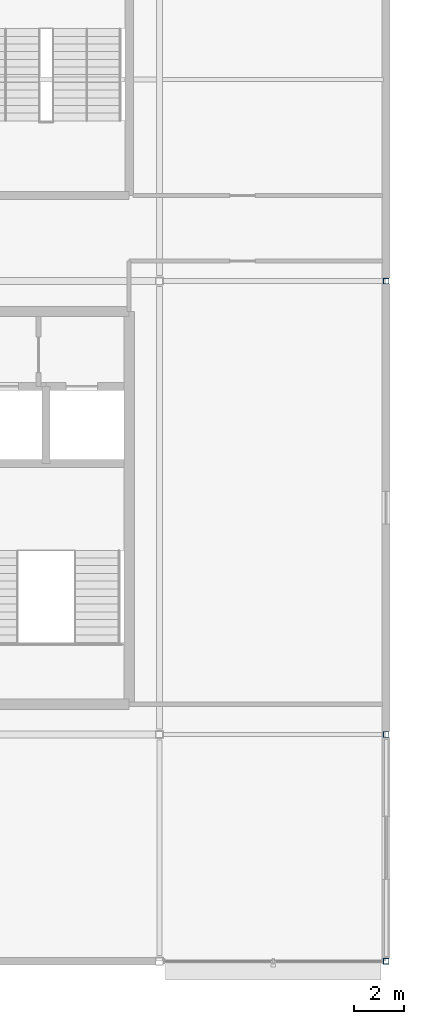
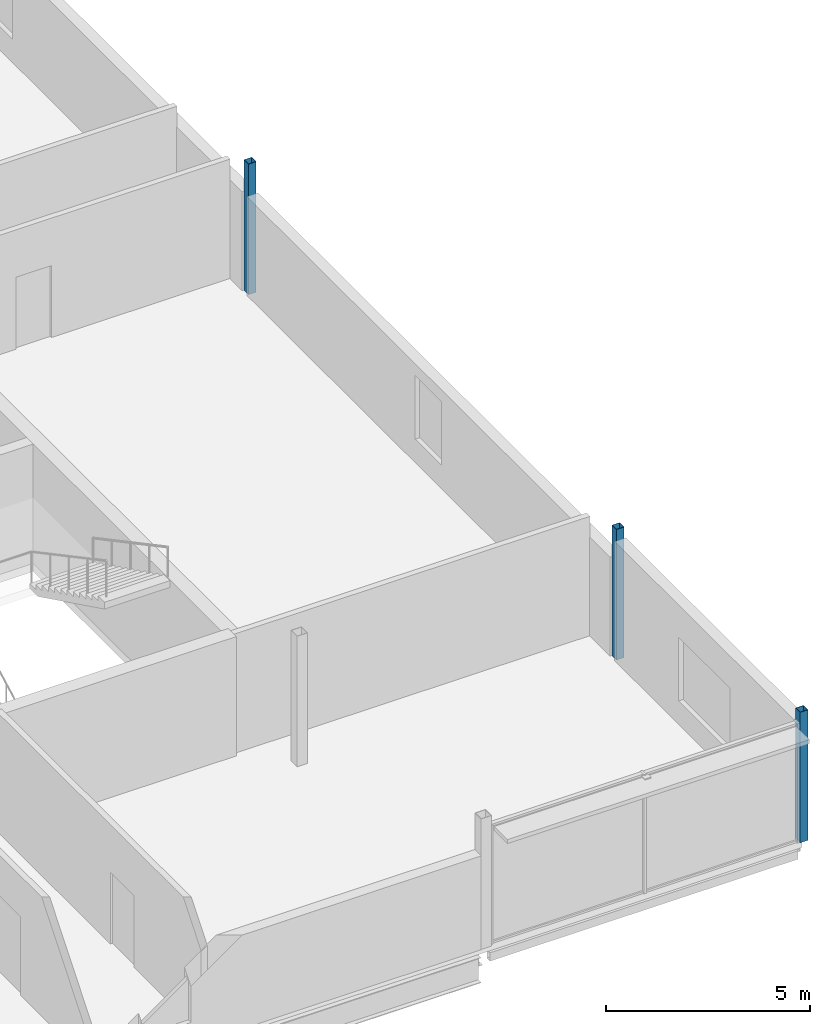
# One storey, part 14 of 55: 3 columns.
"""IFC4 building model written with IfcOpenShell, lengths in metres."""

from ifc_helpers import new_model, si_unit, direction, frame, origin, origin_2d, place, context, subcontext, project, spatial, hollow_rectangle, extrude, material, material_profile, profile_set, type_object, element, save


model = new_model("IFC4")

# Units and contexts
model_context = context("Model", 3, precision=1e-05, world=origin(), true_north=direction((0.0, 1.0)))
body_context = subcontext(model_context, "Body", "Model", "MODEL_VIEW")
ifc_project = project(units=[si_unit("LENGTHUNIT", "METRE"), si_unit("AREAUNIT", "SQUARE_METRE"), si_unit("VOLUMEUNIT", "CUBIC_METRE"), si_unit("PLANEANGLEUNIT", "RADIAN"), si_unit("MASSUNIT", "GRAM", prefix="KILO")], contexts=[model_context])

# Site, building, storey
site_placement = place(None, origin())
site = spatial("IfcSite", under=ifc_project, at=site_placement, CompositionType="ELEMENT")
building_placement = place(site_placement, origin())
building = spatial("IfcBuilding", under=site, at=building_placement, Name="Kisiwana Market Hall", CompositionType="ELEMENT")
storey_placement = place(building_placement, frame((0.0, 0.0, 37.800048828125)))
storey = spatial("IfcBuildingStorey", under=building, at=storey_placement, Name="L08", CompositionType="ELEMENT", Elevation=37.800048828125)

# Columns
ifc_material = material(Name="Steel S355", Category="steel")
ifc_material_profile = material_profile(ifc_material, hollow_rectangle(XDim=0.219970703125, YDim=0.219970703125, WallThickness=0.010009765625, at=origin_2d()), Name="SHS 220x220x10")
ifc_profile_set = profile_set([ifc_material_profile], Name="Steel S355")
column_type = type_object("IfcColumnType", Name="COL-STL-SHS220", PredefinedType="COLUMN", material=ifc_profile_set)
for number, where, z_axis, x_axis, name in (
    (1, (198.0, 9.0, 0.0), (0.0, 0.0, 1.0), (1.0, 0.0, 0.0), "Column B/23 (L08) C-1199"),
    (2, (198.0, 18.0, 0.0), (0.0, 0.0, 1.0), (1.0, 0.0, 0.0), "Column C/23 (L08) C-1200"),
    (3, (198.0, 36.0, 0.0), (0.0, 0.0, 1.0), (1.0, 0.0, 0.0), "Column E/23 (L08) C-1201"),
):
    element("IfcColumn", number, at=place(storey_placement, frame(where, z_axis=z_axis, x_axis=x_axis)), inside=storey, type_object=column_type, Name=name, PredefinedType="COLUMN", context=body_context, shape_type="SweptSolid", body=[
        extrude(hollow_rectangle(XDim=0.219970703125, YDim=0.219970703125, WallThickness=0.010009765625, at=origin_2d()), origin(), (0.0, 0.0, 1.0), 3.89990234375),
    ])

save(model, "model.ifc")
